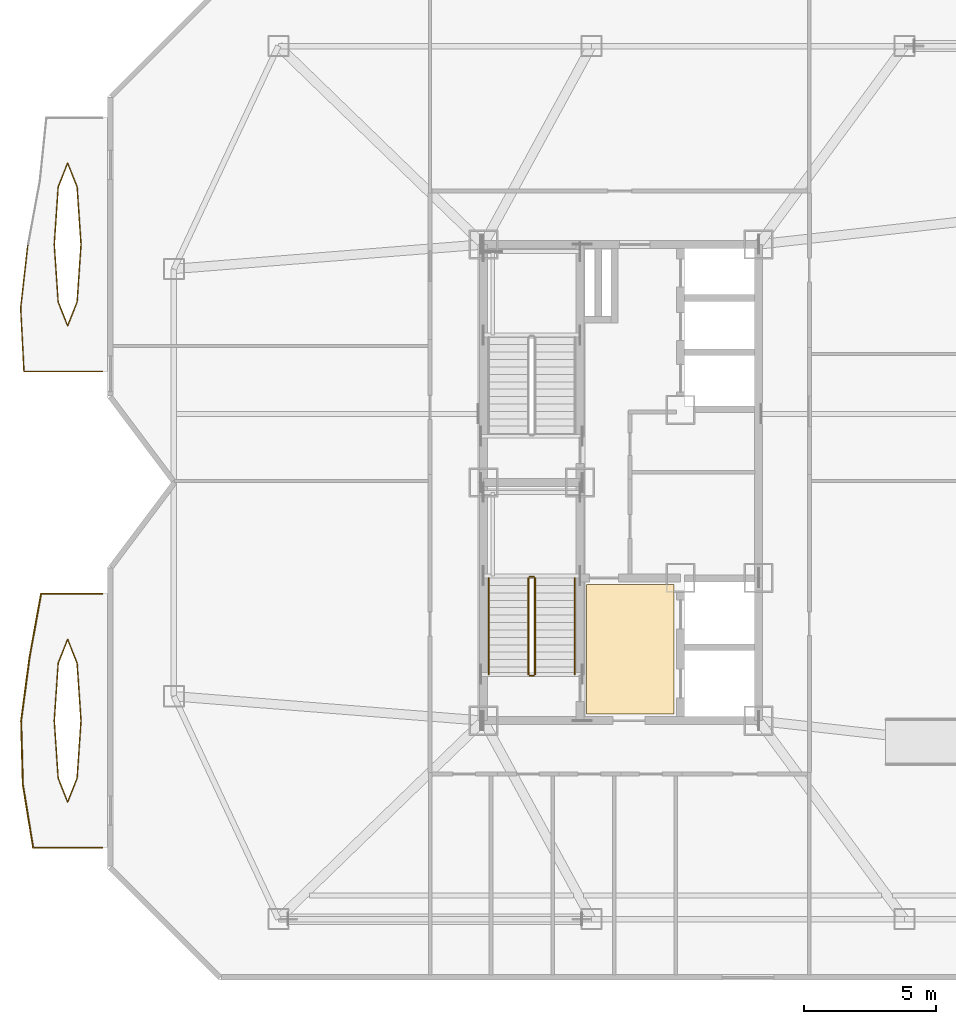
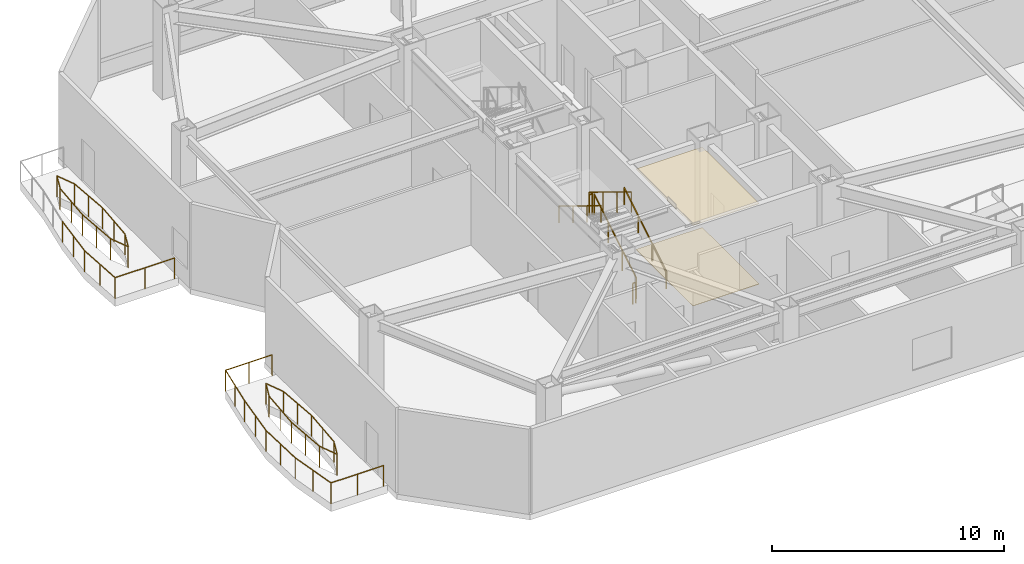
# One storey, part 13 of 16: 13 railings, 2 coverings.
"""IFC4 building model written with IfcOpenShell, lengths in metres."""

from ifc_helpers import new_model, si_unit, direction, frame, origin, origin_2d, place, context, subcontext, project, spatial, polyline, circle, outline, extrude, material, layer, layer_set, type_object, element, save


model = new_model("IFC4")

# Units and contexts
model_context = context("Model", 3, precision=1e-05, world=origin(), true_north=direction((0.0, 1.0)))
body_context = subcontext(model_context, "Body", "Model", "MODEL_VIEW")
ifc_project = project(units=[si_unit("LENGTHUNIT", "METRE"), si_unit("AREAUNIT", "SQUARE_METRE"), si_unit("VOLUMEUNIT", "CUBIC_METRE"), si_unit("PLANEANGLEUNIT", "RADIAN"), si_unit("MASSUNIT", "GRAM", prefix="KILO")], contexts=[model_context])

# Site, building, storey
site_placement = place(None, origin())
site = spatial("IfcSite", under=ifc_project, at=site_placement, CompositionType="ELEMENT")
building_placement = place(site_placement, origin())
building = spatial("IfcBuilding", under=site, at=building_placement, Name="Khamvora Tower", CompositionType="ELEMENT")
storey_placement = place(building_placement, frame((0.0, 0.0, 207.0)))
storey = spatial("IfcBuildingStorey", under=building, at=storey_placement, Name="L53", CompositionType="ELEMENT", Elevation=207.0)

# Coverings
ifc_material_1 = material(Name="Perforated Mineral-Fibre Acoustic Ceiling Tile", Category="gypsum")
ifc_layer_1 = layer(ifc_material_1, 0.02490234375)
ifc_layer_set_1 = layer_set([ifc_layer_1], Name="Perforated Mineral-Fibre Acoustic Ceiling Tile")
covering_type_1 = type_object("IfcCoveringType", Name="COV-CEIL-600", PredefinedType="CEILING", material=ifc_layer_set_1)
covering_1_placement = place(storey_placement, frame((0.0, 0.0, 4.22998046875)))
element("IfcCovering", 1, at=covering_1_placement, inside=storey, type_object=covering_type_1, Name="L53 core lobby suspended acoustic ceiling", PredefinedType="CEILING", context=body_context, shape_type="SweptSolid", body=[
    extrude(outline(polyline([(32.89990234375, 19.25), (36.199951171875, 19.25), (36.199951171875, 24.14990234375), (32.89990234375, 24.14990234375), (32.89990234375, 19.25)])), origin(), (0.0, 0.0, 1.0), 0.02490234375),
])
ifc_material_2 = material(Name="Honed Terrazzo Stone Tile", Category="masonry")
ifc_layer_2 = layer(ifc_material_2, 0.02001953125)
ifc_layer_set_2 = layer_set([ifc_layer_2], Name="Honed Terrazzo Stone Tile")
covering_type_2 = type_object("IfcCoveringType", Name="COV-FLOR-20", PredefinedType="FLOORING", material=ifc_layer_set_2)
covering_2_placement = place(storey_placement, origin())
element("IfcCovering", 2, at=covering_2_placement, inside=storey, type_object=covering_type_2, Name="L53 lift lobby terrazzo flooring", PredefinedType="FLOORING", context=body_context, shape_type="SweptSolid", body=[
    extrude(outline(polyline([(32.89990234375, 19.25), (36.199951171875, 19.25), (36.199951171875, 24.14990234375), (32.89990234375, 24.14990234375), (32.89990234375, 19.25)])), origin(), (0.0, 0.0, 1.0), 0.02001953125),
])

# Railings
ifc_material_3 = material(Name="Stainless Steel 316 and Laminated Glass", Category="steel")
railing_type_1 = type_object("IfcRailingType", Name="RAL-GAL-1120", PredefinedType="GUARDRAIL", material=ifc_material_3)
railing_1_placement = place(storey_placement, frame((14.60009765625, 14.199951171875, 0.0)))
element("IfcRailing", 3, at=railing_1_placement, inside=storey, type_object=railing_type_1, Name="L53 lens gallery south perimeter guardrail WL1", PredefinedType="GUARDRAIL", context=body_context, shape_type="SweptSolid", body=[
    extrude(circle(Radius=0.02392578125, at=origin_2d()), frame((0.0, 0.0, 1.09619140625), z_axis=(-1.0, 0.0, 0.0), x_axis=(0.0, -1.0, 0.0)), (0.0, 0.0, 1.0), 2.6201171875),
    extrude(circle(Radius=0.02392578125, at=origin_2d()), frame((-2.6201171875, 0.0, 1.09619140625), z_axis=(-0.160734739437, 0.986997641101, 0.0), x_axis=(-0.986997641101, -0.160734739437, 0.0)), (0.0, 0.0, 1.0), 2.431884765625),
    extrude(circle(Radius=0.02392578125, at=origin_2d()), frame((-3.010986328125, 2.400146484375, 1.09619140625), z_axis=(-0.026338773779, 0.999653074319, 0.0), x_axis=(-0.999653074319, -0.026338773779, 0.0)), (0.0, 0.0, 1.0), 2.400634765625),
    extrude(circle(Radius=0.02099609375, at=origin_2d()), origin(), (0.0, 0.0, 1.0), 1.072021484375),
    extrude(circle(Radius=0.02099609375, at=origin_2d()), frame((-1.31005859375, 0.0, 0.0)), (0.0, 0.0, 1.0), 1.072021484375),
    extrude(circle(Radius=0.02099609375, at=origin_2d()), frame((-2.6201171875, 0.0, 0.0)), (0.0, 0.0, 1.0), 1.072021484375),
    extrude(circle(Radius=0.02099609375, at=origin_2d()), frame((-2.8154296875, 1.2001953125, 0.0)), (0.0, 0.0, 1.0), 1.072021484375),
    extrude(circle(Radius=0.02099609375, at=origin_2d()), frame((-3.010986328125, 2.400146484375, 0.0)), (0.0, 0.0, 1.0), 1.072021484375),
    extrude(circle(Radius=0.02099609375, at=origin_2d()), frame((-3.04248046875, 3.60009765625, 0.0)), (0.0, 0.0, 1.0), 1.072021484375),
    extrude(circle(Radius=0.02099609375, at=origin_2d()), frame((-3.07421875, 4.800048828125, 0.0)), (0.0, 0.0, 1.0), 1.072021484375),
])
railing_2_placement = place(storey_placement, frame((11.52587890625, 19.0, 0.0)))
element("IfcRailing", 4, at=railing_2_placement, inside=storey, type_object=railing_type_1, Name="L53 lens gallery north perimeter guardrail WL1", PredefinedType="GUARDRAIL", context=body_context, shape_type="SweptSolid", body=[
    extrude(circle(Radius=0.02392578125, at=origin_2d()), frame((0.0, 0.0, 1.09619140625), z_axis=(0.131404023717, 0.991328897264, 0.0), x_axis=(-0.991328897264, 0.131404023717, 0.0)), (0.0, 0.0, 1.0), 2.4208984375),
    extrude(circle(Radius=0.02392578125, at=origin_2d()), frame((0.318115234375, 2.39990234375, 1.09619140625), z_axis=(0.17874452243, 0.983895520724, 0.0), x_axis=(-0.983895520724, 0.17874452243, 0.0)), (0.0, 0.0, 1.0), 2.439453125),
    extrude(circle(Radius=0.02392578125, at=origin_2d()), frame((0.754150390625, 4.800048828125, 1.09619140625), z_axis=(1.0, 0.0, 0.0), x_axis=(0.0, 1.0, 0.0)), (0.0, 0.0, 1.0), 2.320068359375),
    extrude(circle(Radius=0.02099609375, at=origin_2d()), origin(), (0.0, 0.0, 1.0), 1.072021484375),
    extrude(circle(Radius=0.02099609375, at=origin_2d()), frame((0.1591796875, 1.199951171875, 0.0)), (0.0, 0.0, 1.0), 1.072021484375),
    extrude(circle(Radius=0.02099609375, at=origin_2d()), frame((0.318115234375, 2.39990234375, 0.0)), (0.0, 0.0, 1.0), 1.072021484375),
    extrude(circle(Radius=0.02099609375, at=origin_2d()), frame((0.5361328125, 3.60009765625, 0.0)), (0.0, 0.0, 1.0), 1.072021484375),
    extrude(circle(Radius=0.02099609375, at=origin_2d()), frame((0.754150390625, 4.800048828125, 0.0)), (0.0, 0.0, 1.0), 1.072021484375),
    extrude(circle(Radius=0.02099609375, at=origin_2d()), frame((1.9140625, 4.800048828125, 0.0)), (0.0, 0.0, 1.0), 1.072021484375),
    extrude(circle(Radius=0.02099609375, at=origin_2d()), frame((3.07421875, 4.800048828125, 0.0)), (0.0, 0.0, 1.0), 1.072021484375),
])
railing_3_placement = place(storey_placement, frame((13.7890625, 19.0, 0.0)))
element("IfcRailing", 5, at=railing_3_placement, inside=storey, type_object=railing_type_1, Name="L53 lens gallery void guardrail WL1A", PredefinedType="GUARDRAIL", context=body_context, shape_type="SweptSolid", body=[
    extrude(circle(Radius=0.02392578125, at=origin_2d()), frame((0.0, 0.0, 1.09619140625), z_axis=(-0.067955394668, 0.997688360329, 0.0), x_axis=(-0.997688360329, -0.067955394668, 0.0)), (0.0, 0.0, 1.0), 2.17724609375),
    extrude(circle(Radius=0.02392578125, at=origin_2d()), frame((-0.14794921875, 2.172119140625, 1.09619140625), z_axis=(-0.368039364147, 0.929810209902, 0.0), x_axis=(-0.929810209902, -0.368039364147, 0.0)), (0.0, 0.0, 1.0), 0.9677734375),
    extrude(circle(Radius=0.02392578125, at=origin_2d()), frame((-0.504150390625, 3.072021484375, 1.09619140625), z_axis=(-0.367821247872, -0.92989651554, 0.0), x_axis=(0.92989651554, -0.367821247872, 0.0)), (0.0, 0.0, 1.0), 0.9677734375),
    extrude(circle(Radius=0.02392578125, at=origin_2d()), frame((-0.860107421875, 2.172119140625, 1.09619140625), z_axis=(-0.067955394668, -0.997688360329, 0.0), x_axis=(0.997688360329, -0.067955394668, 0.0)), (0.0, 0.0, 1.0), 2.17724609375),
    extrude(circle(Radius=0.02099609375, at=origin_2d()), origin(), (0.0, 0.0, 1.0), 1.072021484375),
    extrude(circle(Radius=0.02099609375, at=origin_2d()), frame((-0.073974609375, 1.0859375, 0.0)), (0.0, 0.0, 1.0), 1.072021484375),
    extrude(circle(Radius=0.02099609375, at=origin_2d()), frame((-0.14794921875, 2.172119140625, 0.0)), (0.0, 0.0, 1.0), 1.072021484375),
    extrude(circle(Radius=0.02099609375, at=origin_2d()), frame((-0.504150390625, 3.072021484375, 0.0)), (0.0, 0.0, 1.0), 1.072021484375),
    extrude(circle(Radius=0.02099609375, at=origin_2d()), frame((-0.860107421875, 2.172119140625, 0.0)), (0.0, 0.0, 1.0), 1.072021484375),
    extrude(circle(Radius=0.02099609375, at=origin_2d()), frame((-0.93408203125, 1.0859375, 0.0)), (0.0, 0.0, 1.0), 1.072021484375),
    extrude(circle(Radius=0.02099609375, at=origin_2d()), frame((-1.008056640625, 0.0, 0.0)), (0.0, 0.0, 1.0), 1.072021484375),
])
railing_4_placement = place(storey_placement, frame((12.781005859375, 19.0, 0.0)))
element("IfcRailing", 6, at=railing_4_placement, inside=storey, type_object=railing_type_1, Name="L53 lens gallery void guardrail WL1B", PredefinedType="GUARDRAIL", context=body_context, shape_type="SweptSolid", body=[
    extrude(circle(Radius=0.02392578125, at=origin_2d()), frame((0.0, 0.0, 1.09619140625), z_axis=(0.067955394668, -0.997688360329, 0.0), x_axis=(0.997688360329, 0.067955394668, 0.0)), (0.0, 0.0, 1.0), 2.17724609375),
    extrude(circle(Radius=0.02392578125, at=origin_2d()), frame((0.14794921875, -2.172119140625, 1.09619140625), z_axis=(0.367821247872, -0.92989651554, 0.0), x_axis=(0.92989651554, 0.367821247872, 0.0)), (0.0, 0.0, 1.0), 0.9677734375),
    extrude(circle(Radius=0.02392578125, at=origin_2d()), frame((0.50390625, -3.072021484375, 1.09619140625), z_axis=(0.368039364147, 0.929810209902, 0.0), x_axis=(-0.929810209902, 0.368039364147, 0.0)), (0.0, 0.0, 1.0), 0.9677734375),
    extrude(circle(Radius=0.02392578125, at=origin_2d()), frame((0.860107421875, -2.172119140625, 1.09619140625), z_axis=(0.067955394668, 0.997688360329, 0.0), x_axis=(-0.997688360329, 0.067955394668, 0.0)), (0.0, 0.0, 1.0), 2.17724609375),
    extrude(circle(Radius=0.02099609375, at=origin_2d()), origin(), (0.0, 0.0, 1.0), 1.072021484375),
    extrude(circle(Radius=0.02099609375, at=origin_2d()), frame((0.073974609375, -1.0859375, 0.0)), (0.0, 0.0, 1.0), 1.072021484375),
    extrude(circle(Radius=0.02099609375, at=origin_2d()), frame((0.14794921875, -2.172119140625, 0.0)), (0.0, 0.0, 1.0), 1.072021484375),
    extrude(circle(Radius=0.02099609375, at=origin_2d()), frame((0.50390625, -3.072021484375, 0.0)), (0.0, 0.0, 1.0), 1.072021484375),
    extrude(circle(Radius=0.02099609375, at=origin_2d()), frame((0.860107421875, -2.172119140625, 0.0)), (0.0, 0.0, 1.0), 1.072021484375),
    extrude(circle(Radius=0.02099609375, at=origin_2d()), frame((0.93408203125, -1.0859375, 0.0)), (0.0, 0.0, 1.0), 1.072021484375),
    extrude(circle(Radius=0.02099609375, at=origin_2d()), frame((1.008056640625, 0.0, 0.0)), (0.0, 0.0, 1.0), 1.072021484375),
])
railing_5_placement = place(storey_placement, frame((14.60009765625, 32.199951171875, 0.0)))
element("IfcRailing", 7, at=railing_5_placement, inside=storey, type_object=railing_type_1, Name="L53 lens gallery south perimeter guardrail WL2", PredefinedType="GUARDRAIL", context=body_context, shape_type="SweptSolid", body=[
    extrude(circle(Radius=0.02392578125, at=origin_2d()), frame((0.0, 0.0, 1.09619140625), z_axis=(-1.0, 0.0, 0.0), x_axis=(0.0, -1.0, 0.0)), (0.0, 0.0, 1.0), 2.967041015625),
    extrude(circle(Radius=0.02392578125, at=origin_2d()), frame((-2.967041015625, 0.0, 1.09619140625), z_axis=(-0.052009668359, 0.998646581328, 0.0), x_axis=(-0.998646581328, -0.052009668359, 0.0)), (0.0, 0.0, 1.0), 2.4033203125),
    extrude(circle(Radius=0.02392578125, at=origin_2d()), frame((-3.092041015625, 2.400146484375, 1.09619140625), z_axis=(0.112206535725, 0.993684906467, 0.0), x_axis=(-0.993684906467, 0.112206535725, 0.0)), (0.0, 0.0, 1.0), 2.4150390625),
    extrude(circle(Radius=0.02099609375, at=origin_2d()), origin(), (0.0, 0.0, 1.0), 1.072021484375),
    extrude(circle(Radius=0.02099609375, at=origin_2d()), frame((-1.4833984375, 0.0, 0.0)), (0.0, 0.0, 1.0), 1.072021484375),
    extrude(circle(Radius=0.02099609375, at=origin_2d()), frame((-2.967041015625, 0.0, 0.0)), (0.0, 0.0, 1.0), 1.072021484375),
    extrude(circle(Radius=0.02099609375, at=origin_2d()), frame((-3.029541015625, 1.2001953125, 0.0)), (0.0, 0.0, 1.0), 1.072021484375),
    extrude(circle(Radius=0.02099609375, at=origin_2d()), frame((-3.092041015625, 2.400146484375, 0.0)), (0.0, 0.0, 1.0), 1.072021484375),
    extrude(circle(Radius=0.02099609375, at=origin_2d()), frame((-2.95654296875, 3.60009765625, 0.0)), (0.0, 0.0, 1.0), 1.072021484375),
    extrude(circle(Radius=0.02099609375, at=origin_2d()), frame((-2.821044921875, 4.800048828125, 0.0)), (0.0, 0.0, 1.0), 1.072021484375),
])
railing_6_placement = place(storey_placement, frame((13.7890625, 37.0, 0.0)))
element("IfcRailing", 8, at=railing_6_placement, inside=storey, type_object=railing_type_1, Name="L53 lens gallery void guardrail WL2A", PredefinedType="GUARDRAIL", context=body_context, shape_type="SweptSolid", body=[
    extrude(circle(Radius=0.02392578125, at=origin_2d()), frame((0.0, 0.0, 1.09619140625), z_axis=(-0.067955394668, 0.997688360329, 0.0), x_axis=(-0.997688360329, -0.067955394668, 0.0)), (0.0, 0.0, 1.0), 2.17724609375),
    extrude(circle(Radius=0.02392578125, at=origin_2d()), frame((-0.14794921875, 2.172119140625, 1.09619140625), z_axis=(-0.368039364147, 0.929810209902, 0.0), x_axis=(-0.929810209902, -0.368039364147, 0.0)), (0.0, 0.0, 1.0), 0.9677734375),
    extrude(circle(Radius=0.02392578125, at=origin_2d()), frame((-0.504150390625, 3.072021484375, 1.09619140625), z_axis=(-0.367821247872, -0.92989651554, 0.0), x_axis=(0.92989651554, -0.367821247872, 0.0)), (0.0, 0.0, 1.0), 0.9677734375),
    extrude(circle(Radius=0.02392578125, at=origin_2d()), frame((-0.860107421875, 2.172119140625, 1.09619140625), z_axis=(-0.067955394668, -0.997688360329, 0.0), x_axis=(0.997688360329, -0.067955394668, 0.0)), (0.0, 0.0, 1.0), 2.17724609375),
    extrude(circle(Radius=0.02099609375, at=origin_2d()), origin(), (0.0, 0.0, 1.0), 1.072021484375),
    extrude(circle(Radius=0.02099609375, at=origin_2d()), frame((-0.073974609375, 1.0859375, 0.0)), (0.0, 0.0, 1.0), 1.072021484375),
    extrude(circle(Radius=0.02099609375, at=origin_2d()), frame((-0.14794921875, 2.172119140625, 0.0)), (0.0, 0.0, 1.0), 1.072021484375),
    extrude(circle(Radius=0.02099609375, at=origin_2d()), frame((-0.504150390625, 3.072021484375, 0.0)), (0.0, 0.0, 1.0), 1.072021484375),
    extrude(circle(Radius=0.02099609375, at=origin_2d()), frame((-0.860107421875, 2.172119140625, 0.0)), (0.0, 0.0, 1.0), 1.072021484375),
    extrude(circle(Radius=0.02099609375, at=origin_2d()), frame((-0.93408203125, 1.0859375, 0.0)), (0.0, 0.0, 1.0), 1.072021484375),
    extrude(circle(Radius=0.02099609375, at=origin_2d()), frame((-1.008056640625, 0.0, 0.0)), (0.0, 0.0, 1.0), 1.072021484375),
])
railing_7_placement = place(storey_placement, frame((12.781005859375, 37.0, 0.0)))
element("IfcRailing", 9, at=railing_7_placement, inside=storey, type_object=railing_type_1, Name="L53 lens gallery void guardrail WL2B", PredefinedType="GUARDRAIL", context=body_context, shape_type="SweptSolid", body=[
    extrude(circle(Radius=0.02392578125, at=origin_2d()), frame((0.0, 0.0, 1.09619140625), z_axis=(0.067955394668, -0.997688360329, 0.0), x_axis=(0.997688360329, 0.067955394668, 0.0)), (0.0, 0.0, 1.0), 2.17724609375),
    extrude(circle(Radius=0.02392578125, at=origin_2d()), frame((0.14794921875, -2.172119140625, 1.09619140625), z_axis=(0.367821247872, -0.92989651554, 0.0), x_axis=(0.92989651554, 0.367821247872, 0.0)), (0.0, 0.0, 1.0), 0.9677734375),
    extrude(circle(Radius=0.02392578125, at=origin_2d()), frame((0.50390625, -3.072021484375, 1.09619140625), z_axis=(0.368039364147, 0.929810209902, 0.0), x_axis=(-0.929810209902, 0.368039364147, 0.0)), (0.0, 0.0, 1.0), 0.9677734375),
    extrude(circle(Radius=0.02392578125, at=origin_2d()), frame((0.860107421875, -2.172119140625, 1.09619140625), z_axis=(0.067955394668, 0.997688360329, 0.0), x_axis=(-0.997688360329, 0.067955394668, 0.0)), (0.0, 0.0, 1.0), 2.17724609375),
    extrude(circle(Radius=0.02099609375, at=origin_2d()), origin(), (0.0, 0.0, 1.0), 1.072021484375),
    extrude(circle(Radius=0.02099609375, at=origin_2d()), frame((0.073974609375, -1.0859375, 0.0)), (0.0, 0.0, 1.0), 1.072021484375),
    extrude(circle(Radius=0.02099609375, at=origin_2d()), frame((0.14794921875, -2.172119140625, 0.0)), (0.0, 0.0, 1.0), 1.072021484375),
    extrude(circle(Radius=0.02099609375, at=origin_2d()), frame((0.50390625, -3.072021484375, 0.0)), (0.0, 0.0, 1.0), 1.072021484375),
    extrude(circle(Radius=0.02099609375, at=origin_2d()), frame((0.860107421875, -2.172119140625, 0.0)), (0.0, 0.0, 1.0), 1.072021484375),
    extrude(circle(Radius=0.02099609375, at=origin_2d()), frame((0.93408203125, -1.0859375, 0.0)), (0.0, 0.0, 1.0), 1.072021484375),
    extrude(circle(Radius=0.02099609375, at=origin_2d()), frame((1.008056640625, 0.0, 0.0)), (0.0, 0.0, 1.0), 1.072021484375),
])
ifc_material_4 = material(Name="Brushed Stainless Steel 316", Category="steel")
railing_type_2 = type_object("IfcRailingType", Name="RAL-HDR-920", PredefinedType="HANDRAIL", material=ifc_material_4)
railing_8_placement = place(storey_placement, frame((32.449951171875, 20.75, 0.17138671875)))
element("IfcRailing", 10, at=railing_8_placement, inside=storey, type_object=railing_type_2, Name="L53 ST-01 stair handrail 1", PredefinedType="HANDRAIL", context=body_context, shape_type="SweptSolid", body=[
    extrude(circle(Radius=0.02392578125, at=origin_2d()), frame((0.0, 0.0, 0.8759765625), z_axis=(0.0, 0.852850264322, 0.5221555579), x_axis=(-1.0, 0.0, 0.0)), (0.0, 0.0, 1.0), 4.267822265625),
    extrude(circle(Radius=0.02099609375, at=origin_2d()), origin(), (0.0, 0.0, 1.0), 0.851806640625),
    extrude(circle(Radius=0.02099609375, at=origin_2d()), frame((0.0, 1.21337890625, 0.742919921875)), (0.0, 0.0, 1.0), 0.851806640625),
    extrude(circle(Radius=0.02099609375, at=origin_2d()), frame((0.0, 2.426513671875, 1.485595703125)), (0.0, 0.0, 1.0), 0.851806640625),
    extrude(circle(Radius=0.02099609375, at=origin_2d()), frame((0.0, 3.639892578125, 2.228515625)), (0.0, 0.0, 1.0), 0.851806640625),
])
railing_9_placement = place(storey_placement, frame((29.199951171875, 24.389892578125, 2.571533203125)))
element("IfcRailing", 11, at=railing_9_placement, inside=storey, type_object=railing_type_2, Name="L53 ST-01 stair handrail 2", PredefinedType="HANDRAIL", context=body_context, shape_type="SweptSolid", body=[
    extrude(circle(Radius=0.02392578125, at=origin_2d()), frame((0.0, 0.0, 0.8759765625), z_axis=(0.0, -0.852850264322, 0.5221555579), x_axis=(1.0, 0.0, 0.0)), (0.0, 0.0, 1.0), 4.267822265625),
    extrude(circle(Radius=0.02099609375, at=origin_2d()), origin(), (0.0, 0.0, 1.0), 0.851806640625),
    extrude(circle(Radius=0.02099609375, at=origin_2d()), frame((0.0, -1.21337890625, 0.742919921875)), (0.0, 0.0, 1.0), 0.851806640625),
    extrude(circle(Radius=0.02099609375, at=origin_2d()), frame((0.0, -2.426513671875, 1.485595703125)), (0.0, 0.0, 1.0), 0.851806640625),
    extrude(circle(Radius=0.02099609375, at=origin_2d()), frame((0.0, -3.639892578125, 2.228515625)), (0.0, 0.0, 1.0), 0.851806640625),
])
ifc_material_5 = material(Name="Stainless Steel 316", Category="steel")
railing_type_3 = type_object("IfcRailingType", Name="RAL-STG-1100", PredefinedType="GUARDRAIL", material=ifc_material_5)
railing_10_placement = place(storey_placement, frame((30.949951171875, 20.75, 0.17138671875)))
element("IfcRailing", 12, at=railing_10_placement, inside=storey, type_object=railing_type_3, Name="L53 ST-01 stair guard 1", PredefinedType="GUARDRAIL", context=body_context, shape_type="SweptSolid", body=[
    extrude(circle(Radius=0.02392578125, at=origin_2d()), frame((0.0, 0.0, 1.076171875), z_axis=(0.0, 0.852850264322, 0.5221555579), x_axis=(-1.0, 0.0, 0.0)), (0.0, 0.0, 1.0), 4.267822265625),
    extrude(circle(Radius=0.02099609375, at=origin_2d()), origin(), (0.0, 0.0, 1.0), 1.052001953125),
    extrude(circle(Radius=0.02099609375, at=origin_2d()), frame((0.0, 1.21337890625, 0.742919921875)), (0.0, 0.0, 1.0), 1.052001953125),
    extrude(circle(Radius=0.02099609375, at=origin_2d()), frame((0.0, 2.426513671875, 1.485595703125)), (0.0, 0.0, 1.0), 1.052001953125),
    extrude(circle(Radius=0.02099609375, at=origin_2d()), frame((0.0, 3.639892578125, 2.228515625)), (0.0, 0.0, 1.0), 1.052001953125),
])
railing_11_placement = place(storey_placement, frame((30.89990234375, 24.43994140625, 2.39990234375)))
element("IfcRailing", 13, at=railing_11_placement, inside=storey, type_object=railing_type_3, Name="L53 ST-01 stair guard 2", PredefinedType="GUARDRAIL", context=body_context, shape_type="SweptSolid", body=[
    extrude(circle(Radius=0.02392578125, at=origin_2d()), frame((0.0, 0.0, 1.076171875), z_axis=(-1.0, 0.0, 0.0), x_axis=(0.0, -1.0, 0.0)), (0.0, 0.0, 1.0), 0.14990234375),
    extrude(circle(Radius=0.02099609375, at=origin_2d()), origin(), (0.0, 0.0, 1.0), 1.052001953125),
    extrude(circle(Radius=0.02099609375, at=origin_2d()), frame((-0.14990234375, 0.0, 0.0)), (0.0, 0.0, 1.0), 1.052001953125),
])
railing_12_placement = place(storey_placement, frame((30.699951171875, 24.389892578125, 2.571533203125)))
element("IfcRailing", 14, at=railing_12_placement, inside=storey, type_object=railing_type_3, Name="L53 ST-01 stair guard 3", PredefinedType="GUARDRAIL", context=body_context, shape_type="SweptSolid", body=[
    extrude(circle(Radius=0.02392578125, at=origin_2d()), frame((0.0, 0.0, 1.076171875), z_axis=(0.0, -0.852850264322, 0.5221555579), x_axis=(1.0, 0.0, 0.0)), (0.0, 0.0, 1.0), 4.267822265625),
    extrude(circle(Radius=0.02099609375, at=origin_2d()), origin(), (0.0, 0.0, 1.0), 1.052001953125),
    extrude(circle(Radius=0.02099609375, at=origin_2d()), frame((0.0, -1.21337890625, 0.742919921875)), (0.0, 0.0, 1.0), 1.052001953125),
    extrude(circle(Radius=0.02099609375, at=origin_2d()), frame((0.0, -2.426513671875, 1.485595703125)), (0.0, 0.0, 1.0), 1.052001953125),
    extrude(circle(Radius=0.02099609375, at=origin_2d()), frame((0.0, -3.639892578125, 2.228515625)), (0.0, 0.0, 1.0), 1.052001953125),
])
railing_13_placement = place(storey_placement, frame((30.89990234375, 20.699951171875, 0.0)))
element("IfcRailing", 15, at=railing_13_placement, inside=storey, type_object=railing_type_3, Name="L53 ST-01 stair guard 4", PredefinedType="GUARDRAIL", context=body_context, shape_type="SweptSolid", body=[
    extrude(circle(Radius=0.02392578125, at=origin_2d()), frame((0.0, 0.0, 1.076171875), z_axis=(-1.0, 0.0, 0.0), x_axis=(0.0, -1.0, 0.0)), (0.0, 0.0, 1.0), 0.14990234375),
    extrude(circle(Radius=0.02099609375, at=origin_2d()), origin(), (0.0, 0.0, 1.0), 1.052001953125),
    extrude(circle(Radius=0.02099609375, at=origin_2d()), frame((-0.14990234375, 0.0, 0.0)), (0.0, 0.0, 1.0), 1.052001953125),
])

save(model, "model.ifc")
